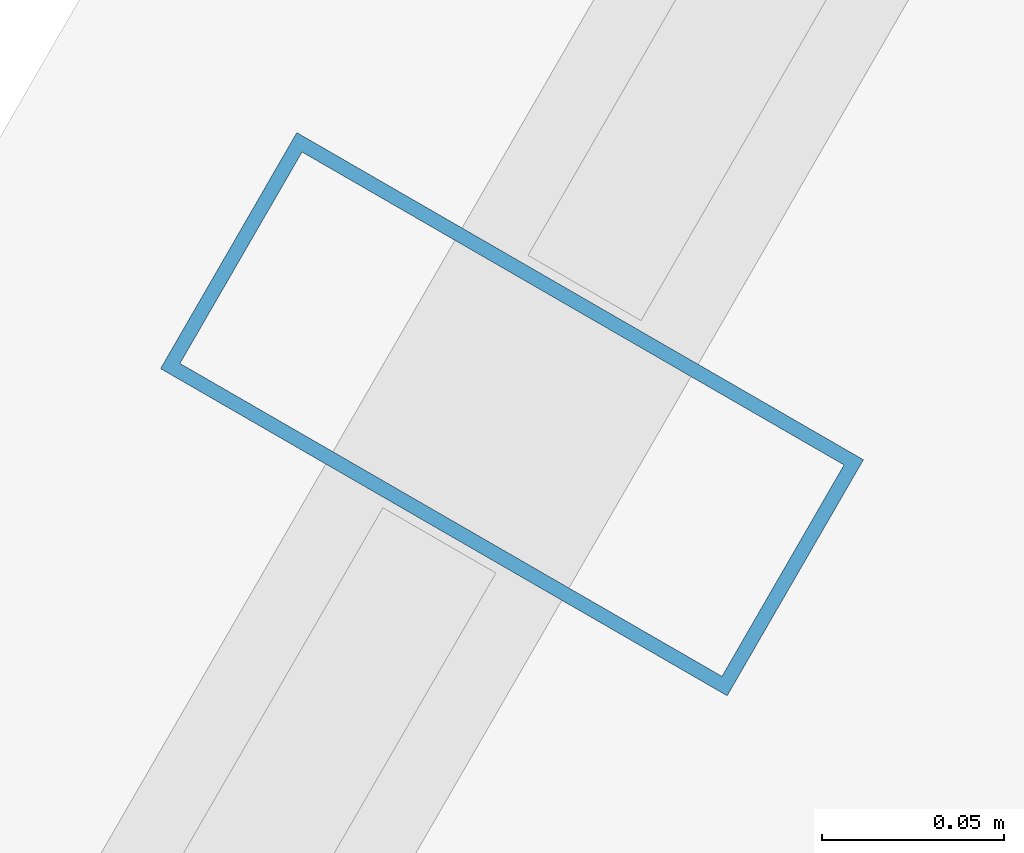
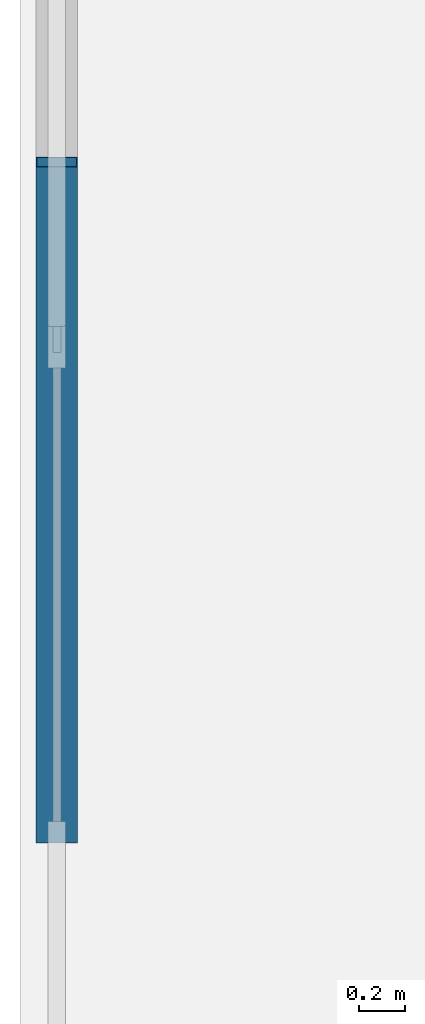
# One storey, part 15 of 32: 1 member, 1 element without a shape of its own.
"""IFC4 building model written with IfcOpenShell, lengths in metres."""

import ifcopenshell
import ifcopenshell.guid

model = None  # the IFC model being written
_history = None  # IfcOwnerHistory: only IFC2X3 demands one
_inside = {}  # id of a spatial element -> (the spatial element, [elements in it])
_under = {}  # id of a project, library or spatial element -> (it, [spatial elements below it])
_declared = {}  # id of a project -> (the project, [libraries it declares])
_typed = {}  # id of a type object -> (the type object, [elements of that type])
_made_of = {}  # id of a material, layer set ... -> (it, [elements and type objects made of it])


def new_model(schema):
    """Start an empty IFC model of exactly this schema.

    Asked for "IFC4X3", IfcOpenShell would pick the latest addendum, in which some entities
    have other attributes; the version numbers below select the first issue.
    IFC2X3 requires an IfcOwnerHistory on every rooted entity: one is made here for all.
    """
    global model, _history
    if schema == "IFC4X3":
        model = ifcopenshell.file(schema_version=(4, 3, 0, 0))
    else:
        model = ifcopenshell.file(schema=schema)
    _inside.clear()
    _under.clear()
    _declared.clear()
    _typed.clear()
    _made_of.clear()
    _history = None
    if model.schema == "IFC2X3":
        org = make("IfcOrganization", Name="unknown")
        user = make(
            "IfcPersonAndOrganization",
            ThePerson=make("IfcPerson", FamilyName="unknown"),
            TheOrganization=org,
        )
        app = make(
            "IfcApplication",
            ApplicationDeveloper=org,
            Version="unknown",
            ApplicationFullName="unknown",
            ApplicationIdentifier="unknown",
        )
        _history = make(
            "IfcOwnerHistory",
            OwningUser=user,
            OwningApplication=app,
            ChangeAction="ADDED",
            CreationDate=0,
        )
    return model


def make(cls, **values):
    """One entity of the class cls with the attributes given. An attribute that is None is left unset."""
    return model.create_entity(
        cls, **{name: value for name, value in values.items() if value is not None}
    )


def rooted(cls, **values):
    """An entity with a GlobalId (a new one), such as an element, a storey or a relation."""
    return make(cls, GlobalId=ifcopenshell.guid.new(), OwnerHistory=_history, **values)


def si_unit(unit_type, name, prefix=None):
    """IfcSIUnit, for example si_unit("LENGTHUNIT", "METRE", prefix="MILLI")."""
    return make("IfcSIUnit", UnitType=unit_type, Prefix=prefix, Name=name)


def assignment(units):
    """IfcUnitAssignment: the units of a project."""
    return None if units is None else make("IfcUnitAssignment", Units=units)


def point(xyz):
    """IfcCartesianPoint."""
    return None if xyz is None else make("IfcCartesianPoint", Coordinates=xyz)


def direction(xyz):
    """IfcDirection."""
    return None if xyz is None else make("IfcDirection", DirectionRatios=xyz)


def frame(location, z_axis=None, x_axis=None):
    """IfcAxis2Placement3D, a coordinate frame: its origin and axes. An axis left out is left unset."""
    return make(
        "IfcAxis2Placement3D",
        Location=point(location),
        Axis=direction(z_axis),
        RefDirection=direction(x_axis),
    )


def frame_2d(location, x_axis=None):
    """IfcAxis2Placement2D, a coordinate frame in the plane: its origin and x axis."""
    return make(
        "IfcAxis2Placement2D", Location=point(location), RefDirection=direction(x_axis)
    )


def origin():
    """The frame at (0, 0, 0) with its axes left unset."""
    return frame((0.0, 0.0, 0.0))


def origin_2d():
    """The frame at (0, 0) in the plane with its x axis left unset."""
    return frame_2d((0.0, 0.0))


def place(relative_to, where):
    """IfcLocalPlacement: puts the frame where relative to a parent placement (None: the world)."""
    return make(
        "IfcLocalPlacement", PlacementRelTo=relative_to, RelativePlacement=where
    )


def context(
    kind, dimensions, precision=None, world=None, true_north=None, identifier=None
):
    """IfcGeometricRepresentationContext, for example the 3D "Model" context."""
    return make(
        "IfcGeometricRepresentationContext",
        ContextIdentifier=identifier,
        ContextType=kind,
        CoordinateSpaceDimension=dimensions,
        Precision=precision,
        WorldCoordinateSystem=world,
        TrueNorth=true_north,
    )


def subcontext(parent, identifier, kind, view, scale=None):
    """IfcGeometricRepresentationSubContext, for example "Body" below "Model"."""
    return make(
        "IfcGeometricRepresentationSubContext",
        ContextIdentifier=identifier,
        ContextType=kind,
        ParentContext=parent,
        TargetScale=scale,
        TargetView=view,
    )


def project(units=None, contexts=None):
    """IfcProject with its units and contexts."""
    return rooted(
        "IfcProject",
        Name="project",
        RepresentationContexts=contexts,
        UnitsInContext=assignment(units),
    )


def spatial(cls, under=None, at=None, **own):
    """A site, building, storey or space (cls), placed at a placement, below another one or the project."""
    s = rooted(cls, ObjectPlacement=at, **own)
    if under is not None:
        _under.setdefault(under.id(), (under, []))[1].append(s)
    return s


def profile(cls, at=None, kind="AREA", **sizes):
    """A parametric profile (cls). Its sizes go by their IFC names, for example OverallWidth=200.0."""
    return make(cls, ProfileType=kind, Position=at, **sizes)


def hollow_rectangle(**sizes):
    """IfcRectangleHollowProfileDef."""
    return profile("IfcRectangleHollowProfileDef", **sizes)


def extrude(swept, where, along, depth):
    """IfcExtrudedAreaSolid: the profile swept, set in the frame where, extruded along a direction by depth."""
    return make(
        "IfcExtrudedAreaSolid",
        SweptArea=swept,
        Position=where,
        ExtrudedDirection=direction(along),
        Depth=depth,
    )


def shape(context_of_items, identifier, shape_type, items):
    """IfcShapeRepresentation: the items that make up one representation, for example the "Body"."""
    return make(
        "IfcShapeRepresentation",
        ContextOfItems=context_of_items,
        RepresentationIdentifier=identifier,
        RepresentationType=shape_type,
        Items=items,
    )


def material(Name=None, Category=None):
    """IfcMaterial."""
    return make("IfcMaterial", Name=Name, Category=Category)


def layer(
    of_material, thickness, ventilated=None, Name=None, Category=None, Priority=None
):
    """IfcMaterialLayer: one layer of a wall or slab, of a material (None: an air gap)."""
    return make(
        "IfcMaterialLayer",
        Material=of_material,
        LayerThickness=thickness,
        IsVentilated=ventilated,
        Name=Name,
        Category=Category,
        Priority=Priority,
    )


def layer_set(layers, Name=None):
    """IfcMaterialLayerSet."""
    return make("IfcMaterialLayerSet", MaterialLayers=layers, LayerSetName=Name)


def material_profile(
    of_material, cross_section, Name=None, Category=None, Priority=None
):
    """IfcMaterialProfile: a cross section and its material."""
    return make(
        "IfcMaterialProfile",
        Name=Name,
        Material=of_material,
        Profile=cross_section,
        Priority=Priority,
        Category=Category,
    )


def profile_set(profiles, Name=None, composite=None):
    """IfcMaterialProfileSet."""
    return make(
        "IfcMaterialProfileSet",
        Name=Name,
        MaterialProfiles=profiles,
        CompositeProfile=composite,
    )


def made_of(thing, what):
    """Note that an element or type object is made of a material, layer set ...; save() writes the relation."""
    if what is not None:
        _made_of.setdefault(what.id(), (what, []))[1].append(thing)
    return thing


def type_object(cls, material=None, **own):
    """A type object (cls), such as IfcWallType, which elements share."""
    return made_of(rooted(cls, **own), material)


def element(
    cls,
    number,
    at=None,
    inside=None,
    cuts=None,
    type_object=None,
    material=None,
    context=None,
    identifier="Body",
    shape_type=None,
    held_by="IfcProductDefinitionShape",
    body=None,
    shapes=None,
    **own,
):
    """One element of the class cls, such as IfcWall. Its Tag is "e" and its number.

    at: its placement. inside: the storey or other place that contains it. cuts: it is an
    opening in that element (IfcRelVoidsElement). A single representation is given by context,
    identifier, shape_type and body (its items); several are given by shapes. held_by: the class
    of the entity that holds the representations. save() writes the other relations.
    """
    e = rooted(cls, Tag="e%d" % number, ObjectPlacement=at, **own)
    if body is not None:
        shapes = [shape(context, identifier, shape_type, body)]
    if shapes is not None:
        e.Representation = make(held_by, Representations=shapes)
    if inside is not None:
        _inside.setdefault(inside.id(), (inside, []))[1].append(e)
    if cuts is not None:
        rooted(
            "IfcRelVoidsElement", RelatingBuildingElement=cuts, RelatedOpeningElement=e
        )
    if type_object is not None:
        _typed.setdefault(type_object.id(), (type_object, []))[1].append(e)
    return made_of(e, material)


def aggregate(whole, parts):
    """IfcRelAggregates: a whole, such as a stair, and the parts it consists of."""
    return rooted("IfcRelAggregates", RelatingObject=whole, RelatedObjects=parts)


def save(model, path):
    """Write the relations noted so far, then the file.

    IfcRelAggregates (storeys below a building ...), IfcRelContainedInSpatialStructure (elements
    in a storey), IfcRelDefinesByType, IfcRelAssociatesMaterial and IfcRelDeclares: one each for
    every whole, place, type object, material and project.
    """
    for whole, parts in _under.values():
        aggregate(whole, parts)
    for where, things in _inside.values():
        rooted(
            "IfcRelContainedInSpatialStructure",
            RelatedElements=things,
            RelatingStructure=where,
        )
    for kind, things in _typed.values():
        rooted("IfcRelDefinesByType", RelatedObjects=things, RelatingType=kind)
    for what, things in _made_of.values():
        rooted("IfcRelAssociatesMaterial", RelatedObjects=things, RelatingMaterial=what)
    for by, libraries in _declared.values():
        rooted("IfcRelDeclares", RelatingContext=by, RelatedDefinitions=libraries)
    model.write(path)


model = new_model("IFC4")

# Units and contexts
model_context = context("Model", 3, precision=1e-05, world=origin(), true_north=direction((0.0, 1.0)))
body_context = subcontext(model_context, "Body", "Model", "MODEL_VIEW")
ifc_project = project(units=[si_unit("LENGTHUNIT", "METRE"), si_unit("AREAUNIT", "SQUARE_METRE"), si_unit("VOLUMEUNIT", "CUBIC_METRE"), si_unit("PLANEANGLEUNIT", "RADIAN"), si_unit("MASSUNIT", "GRAM", prefix="KILO")], contexts=[model_context])

# Site, building, storey
site_placement = place(None, origin())
site = spatial("IfcSite", under=ifc_project, at=site_placement, CompositionType="ELEMENT")
building_placement = place(site_placement, origin())
building = spatial("IfcBuilding", under=site, at=building_placement, Name="Ndaravel Arena Tower", CompositionType="ELEMENT")
storey_placement = place(building_placement, frame((0.0, 0.0, 287.10009765625)))
storey = spatial("IfcBuildingStorey", under=building, at=storey_placement, Name="L70", CompositionType="ELEMENT", Elevation=287.10009765625)

# Curtain wall, member
ifc_material_1 = material(Name="Aluminium", Category="aluminium")
ifc_layer = layer(ifc_material_1, 0.179931640625)
ifc_layer_set = layer_set([ifc_layer], Name="Aluminium")
curtain_wall_type = type_object("IfcCurtainWallType", Name="CW-SYS-03", PredefinedType="NOTDEFINED", material=ifc_layer_set)
curtain_wall_placement = place(storey_placement, origin())
curtain_wall = element("IfcCurtainWall", 1, at=curtain_wall_placement, inside=storey, type_object=curtain_wall_type, Name="L70 Faceted Crystal Curtain Wall CW-L70-E05", PredefinedType="NOTDEFINED")
ifc_material_2 = material(Name="Aluminium", Category="aluminium")
ifc_material_profile = material_profile(ifc_material_2, hollow_rectangle(XDim=0.074951171875, YDim=0.179931640625, WallThickness=0.00390625, at=origin_2d()), Name="CW MULLION 75x180x4")
ifc_profile_set = profile_set([ifc_material_profile], Name="Aluminium")
member_type = type_object("IfcMemberType", Name="MEM-CW-MUL180", PredefinedType="MULLION", material=ifc_profile_set)
member_placement = place(storey_placement, frame((35.275390625, 36.086181640625, 0.0), z_axis=(0.0, 0.0, 1.0), x_axis=(-0.5, -0.866025403784, 0.0)))
member = element("IfcMember", 2, at=member_placement, type_object=member_type, Name="CW-L70-E05 Mullion 02", PredefinedType="MULLION", context=body_context, shape_type="SweptSolid", body=[
    extrude(hollow_rectangle(XDim=0.074951171875, YDim=0.179931640625, WallThickness=0.00390625, at=origin_2d()), origin(), (0.0, 0.0, 1.0), 3.579833984375),
])
aggregate(curtain_wall, [member])

save(model, "model.ifc")
